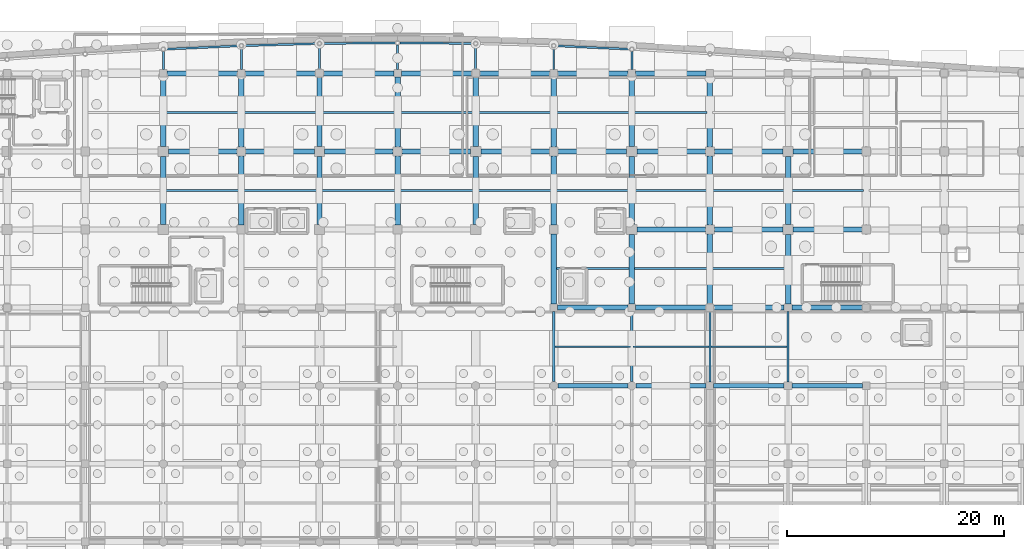
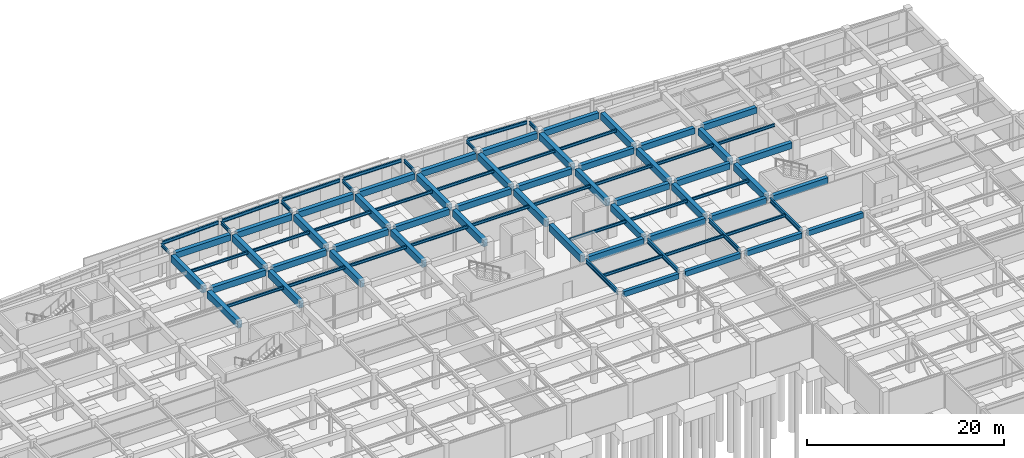
# One storey, part 28 of 48: 86 beams.
"""IFC4 building model written with IfcOpenShell, lengths in metres."""

from ifc_helpers import new_model, si_unit, direction, frame, origin, origin_2d, place, context, subcontext, project, spatial, rectangle, i_section, extrude, material, material_profile, profile_set, type_object, element, save


model = new_model("IFC4")

# Units and contexts
model_context = context("Model", 3, precision=1e-05, world=origin(), true_north=direction((0.0, 1.0)))
body_context = subcontext(model_context, "Body", "Model", "MODEL_VIEW")
ifc_project = project(units=[si_unit("LENGTHUNIT", "METRE"), si_unit("AREAUNIT", "SQUARE_METRE"), si_unit("VOLUMEUNIT", "CUBIC_METRE"), si_unit("PLANEANGLEUNIT", "RADIAN"), si_unit("MASSUNIT", "GRAM", prefix="KILO")], contexts=[model_context])

# Site, building, storey
site_placement = place(None, origin())
site = spatial("IfcSite", under=ifc_project, at=site_placement, CompositionType="ELEMENT")
building_placement = place(site_placement, origin())
building = spatial("IfcBuilding", under=site, at=building_placement, Name="Carrowvane Square Congress Hotel", CompositionType="ELEMENT")
storey_placement = place(building_placement, frame((0.0, 0.0, -4.5)))
storey = spatial("IfcBuildingStorey", under=building, at=storey_placement, Name="B01", CompositionType="ELEMENT", Elevation=-4.5)

# Beams
ifc_material_1 = material(Name="Concrete C35/45", Category="concrete")
ifc_material_profile_1 = material_profile(ifc_material_1, rectangle(XDim=0.39990234375, YDim=0.64990234375, at=origin_2d()), Name="RC 400x650")
ifc_profile_set_1 = profile_set([ifc_material_profile_1], Name="Concrete C35/45")
beam_type_1 = type_object("IfcBeamType", Name="BM-RC-400x650", PredefinedType="BEAM", material=ifc_profile_set_1)
beam_1_placement = place(storey_placement, frame((112.77490234375, 84.60009765625, 3.875), z_axis=(1.0, 0.0, 0.0), x_axis=(0.0, 1.0, 0.0)))
element("IfcBeam", 1, at=beam_1_placement, inside=storey, type_object=beam_type_1, Name="L00 girder M/15-16", PredefinedType="BEAM", context=body_context, shape_type="SweptSolid", body=[
    extrude(rectangle(XDim=0.39990234375, YDim=0.64990234375, at=origin_2d()), origin(), (0.0, 0.0, 1.0), 6.4501953125),
])
beam_2_placement = place(storey_placement, frame((119.97509765625, 84.60009765625, 3.875), z_axis=(1.0, 0.0, 0.0), x_axis=(0.0, 1.0, 0.0)))
element("IfcBeam", 2, at=beam_2_placement, inside=storey, type_object=beam_type_1, Name="L00 girder M/16-17", PredefinedType="BEAM", context=body_context, shape_type="SweptSolid", body=[
    extrude(rectangle(XDim=0.39990234375, YDim=0.64990234375, at=origin_2d()), origin(), (0.0, 0.0, 1.0), 6.474853515625),
])
for number, where, z_axis, x_axis, name in (
    (3, (127.14990234375, 84.60009765625, 3.875), (1.0, 0.0, 0.0), (0.0, 1.0, 0.0), "L00 girder M/17-18"),
    (4, (134.35009765625, 84.60009765625, 3.875), (1.0, 0.0, 0.0), (0.0, 1.0, 0.0), "L00 girder M/18-19"),
):
    element("IfcBeam", number, at=place(storey_placement, frame(where, z_axis=z_axis, x_axis=x_axis)), inside=storey, type_object=beam_type_1, Name=name, PredefinedType="BEAM", context=body_context, shape_type="SweptSolid", body=[
        extrude(rectangle(XDim=0.39990234375, YDim=0.64990234375, at=origin_2d()), origin(), (0.0, 0.0, 1.0), 6.5),
    ])
ifc_material_2 = material(Name="Concrete C35/45", Category="concrete")
ifc_material_profile_2 = material_profile(ifc_material_2, rectangle(XDim=0.449951171875, YDim=0.75, at=origin_2d()), Name="RC 450x750")
ifc_profile_set_2 = profile_set([ifc_material_profile_2], Name="Concrete C35/45")
beam_type_2 = type_object("IfcBeamType", Name="BM-RC-450x750", PredefinedType="USERDEFINED", material=ifc_profile_set_2)
for number, where, z_axis, x_axis, name in (
    (5, (112.75, 91.800048828125, 3.824951171875), (1.0, 0.0, 0.0), (0.0, 1.0, 0.0), "L00 girder N/15-16"),
    (6, (119.949951171875, 91.800048828125, 3.824951171875), (1.0, 0.0, 0.0), (0.0, 1.0, 0.0), "L00 girder N/16-17"),
    (7, (127.14990234375, 91.800048828125, 3.824951171875), (1.0, 0.0, 0.0), (0.0, 1.0, 0.0), "L00 girder N/17-18"),
    (8, (134.35009765625, 91.800048828125, 3.824951171875), (1.0, 0.0, 0.0), (0.0, 1.0, 0.0), "L00 girder N/18-19"),
):
    element("IfcBeam", number, at=place(storey_placement, frame(where, z_axis=z_axis, x_axis=x_axis)), inside=storey, type_object=beam_type_2, Name=name, ObjectType="GIRDER", PredefinedType="USERDEFINED", context=body_context, shape_type="SweptSolid", body=[
        extrude(rectangle(XDim=0.449951171875, YDim=0.75, at=origin_2d()), origin(), (0.0, 0.0, 1.0), 6.5),
    ])
for number, where, z_axis, x_axis, name in (
    (9, (120.074951171875, 99.0, 3.824951171875), (1.0, 0.0, 0.0), (0.0, 1.0, 0.0), "L00 girder P/16-17"),
    (10, (127.199951171875, 99.0, 3.824951171875), (1.0, 0.0, 0.0), (0.0, 1.0, 0.0), "L00 girder P/17-18"),
    (11, (134.47509765625, 99.0, 3.824951171875), (1.0, 0.0, 0.0), (0.0, 1.0, 0.0), "L00 girder P/18-19"),
    (12, (76.875, 106.199951171875, 3.824951171875), (1.0, 0.0, 0.0), (0.0, 1.0, 0.0), "L00 girder Q/10-11"),
    (13, (84.0, 106.199951171875, 3.824951171875), (1.0, 0.0, 0.0), (0.0, 1.0, 0.0), "L00 girder Q/11-12"),
):
    element("IfcBeam", number, at=place(storey_placement, frame(where, z_axis=z_axis, x_axis=x_axis)), inside=storey, type_object=beam_type_2, Name=name, ObjectType="GIRDER", PredefinedType="USERDEFINED", context=body_context, shape_type="SweptSolid", body=[
        extrude(rectangle(XDim=0.449951171875, YDim=0.75, at=origin_2d()), origin(), (0.0, 0.0, 1.0), 6.324951171875),
    ])
for number, where, z_axis, x_axis, name in (
    (14, (91.27490234375, 106.199951171875, 3.824951171875), (1.0, 0.0, 0.0), (0.0, 1.0, 0.0), "L00 girder Q/12-13"),
    (15, (98.39990234375, 106.199951171875, 3.824951171875), (1.0, 0.0, 0.0), (0.0, 1.0, 0.0), "L00 girder Q/13-14"),
):
    element("IfcBeam", number, at=place(storey_placement, frame(where, z_axis=z_axis, x_axis=x_axis)), inside=storey, type_object=beam_type_2, Name=name, ObjectType="GIRDER", PredefinedType="USERDEFINED", context=body_context, shape_type="SweptSolid", body=[
        extrude(rectangle(XDim=0.449951171875, YDim=0.75, at=origin_2d()), origin(), (0.0, 0.0, 1.0), 6.3251953125),
    ])
for number, where, z_axis, x_axis, name in (
    (16, (105.675048828125, 106.199951171875, 3.824951171875), (1.0, 0.0, 0.0), (0.0, 1.0, 0.0), "L00 girder Q/14-15"),
    (17, (112.800048828125, 106.199951171875, 3.824951171875), (1.0, 0.0, 0.0), (0.0, 1.0, 0.0), "L00 girder Q/15-16"),
    (18, (120.074951171875, 106.199951171875, 3.824951171875), (1.0, 0.0, 0.0), (0.0, 1.0, 0.0), "L00 girder Q/16-17"),
    (19, (127.199951171875, 106.199951171875, 3.824951171875), (1.0, 0.0, 0.0), (0.0, 1.0, 0.0), "L00 girder Q/17-18"),
    (20, (134.47509765625, 106.199951171875, 3.824951171875), (1.0, 0.0, 0.0), (0.0, 1.0, 0.0), "L00 girder Q/18-19"),
):
    element("IfcBeam", number, at=place(storey_placement, frame(where, z_axis=z_axis, x_axis=x_axis)), inside=storey, type_object=beam_type_2, Name=name, ObjectType="GIRDER", PredefinedType="USERDEFINED", context=body_context, shape_type="SweptSolid", body=[
        extrude(rectangle(XDim=0.449951171875, YDim=0.75, at=origin_2d()), origin(), (0.0, 0.0, 1.0), 6.324951171875),
    ])
for number, where, z_axis, x_axis, name in (
    (21, (76.75, 113.39990234375, 3.824951171875), (1.0, 0.0, 0.0), (0.0, 1.0, 0.0), "L00 girder R/10-11"),
    (22, (83.949951171875, 113.39990234375, 3.824951171875), (1.0, 0.0, 0.0), (0.0, 1.0, 0.0), "L00 girder R/11-12"),
    (23, (91.14990234375, 113.39990234375, 3.824951171875), (1.0, 0.0, 0.0), (0.0, 1.0, 0.0), "L00 girder R/12-13"),
    (24, (98.35009765625, 113.39990234375, 3.824951171875), (1.0, 0.0, 0.0), (0.0, 1.0, 0.0), "L00 girder R/13-14"),
    (25, (105.550048828125, 113.39990234375, 3.824951171875), (1.0, 0.0, 0.0), (0.0, 1.0, 0.0), "L00 girder R/14-15"),
    (26, (112.75, 113.39990234375, 3.824951171875), (1.0, 0.0, 0.0), (0.0, 1.0, 0.0), "L00 girder R/15-16"),
    (27, (119.949951171875, 113.39990234375, 3.824951171875), (1.0, 0.0, 0.0), (0.0, 1.0, 0.0), "L00 girder R/16-17"),
):
    element("IfcBeam", number, at=place(storey_placement, frame(where, z_axis=z_axis, x_axis=x_axis)), inside=storey, type_object=beam_type_2, Name=name, ObjectType="GIRDER", PredefinedType="USERDEFINED", context=body_context, shape_type="SweptSolid", body=[
        extrude(rectangle(XDim=0.449951171875, YDim=0.75, at=origin_2d()), origin(), (0.0, 0.0, 1.0), 6.5),
    ])
ifc_material_3 = material(Name="Concrete C35/45", Category="concrete")
ifc_material_profile_3 = material_profile(ifc_material_3, rectangle(XDim=0.5, YDim=0.85009765625, at=origin_2d()), Name="RC 500x850")
ifc_profile_set_3 = profile_set([ifc_material_profile_3], Name="Concrete C35/45")
beam_type_3 = type_object("IfcBeamType", Name="BM-RC-500x850", PredefinedType="USERDEFINED", material=ifc_profile_set_3)
beam_3_placement = place(storey_placement, frame((76.39990234375, 99.47509765625, 3.77490234375), z_axis=(0.0, 1.0, 0.0), x_axis=(-1.0, 0.0, 0.0)))
element("IfcBeam", 28, at=beam_3_placement, inside=storey, type_object=beam_type_3, Name="L00 girder 10/P-Q", ObjectType="GIRDER", PredefinedType="USERDEFINED", context=body_context, shape_type="SweptSolid", body=[
    extrude(rectangle(XDim=0.5, YDim=0.85009765625, at=origin_2d()), origin(), (0.0, 0.0, 1.0), 6.25),
])
beam_4_placement = place(storey_placement, frame((76.39990234375, 106.675048828125, 3.77490234375), z_axis=(0.0, 1.0, 0.0), x_axis=(-1.0, 0.0, 0.0)))
element("IfcBeam", 29, at=beam_4_placement, inside=storey, type_object=beam_type_3, Name="L00 girder 10/Q-R", ObjectType="GIRDER", PredefinedType="USERDEFINED", context=body_context, shape_type="SweptSolid", body=[
    extrude(rectangle(XDim=0.5, YDim=0.85009765625, at=origin_2d()), origin(), (0.0, 0.0, 1.0), 6.375),
])
beam_5_placement = place(storey_placement, frame((83.60009765625, 99.39990234375, 3.77490234375), z_axis=(0.0, 1.0, 0.0), x_axis=(-1.0, 0.0, 0.0)))
element("IfcBeam", 30, at=beam_5_placement, inside=storey, type_object=beam_type_3, Name="L00 girder 11/P-Q", ObjectType="GIRDER", PredefinedType="USERDEFINED", context=body_context, shape_type="SweptSolid", body=[
    extrude(rectangle(XDim=0.5, YDim=0.85009765625, at=origin_2d()), origin(), (0.0, 0.0, 1.0), 6.400146484375),
])
beam_6_placement = place(storey_placement, frame((83.60009765625, 106.60009765625, 3.77490234375), z_axis=(0.0, 1.0, 0.0), x_axis=(-1.0, 0.0, 0.0)))
element("IfcBeam", 31, at=beam_6_placement, inside=storey, type_object=beam_type_3, Name="L00 girder 11/Q-R", ObjectType="GIRDER", PredefinedType="USERDEFINED", context=body_context, shape_type="SweptSolid", body=[
    extrude(rectangle(XDim=0.5, YDim=0.85009765625, at=origin_2d()), origin(), (0.0, 0.0, 1.0), 6.449951171875),
])
beam_7_placement = place(storey_placement, frame((90.800048828125, 99.47509765625, 3.77490234375), z_axis=(0.0, 1.0, 0.0), x_axis=(-1.0, 0.0, 0.0)))
element("IfcBeam", 32, at=beam_7_placement, inside=storey, type_object=beam_type_3, Name="L00 girder 12/P-Q", ObjectType="GIRDER", PredefinedType="USERDEFINED", context=body_context, shape_type="SweptSolid", body=[
    extrude(rectangle(XDim=0.5, YDim=0.85009765625, at=origin_2d()), origin(), (0.0, 0.0, 1.0), 6.25),
])
beam_8_placement = place(storey_placement, frame((90.800048828125, 106.675048828125, 3.77490234375), z_axis=(0.0, 1.0, 0.0), x_axis=(-1.0, 0.0, 0.0)))
element("IfcBeam", 33, at=beam_8_placement, inside=storey, type_object=beam_type_3, Name="L00 girder 12/Q-R", ObjectType="GIRDER", PredefinedType="USERDEFINED", context=body_context, shape_type="SweptSolid", body=[
    extrude(rectangle(XDim=0.5, YDim=0.85009765625, at=origin_2d()), origin(), (0.0, 0.0, 1.0), 6.375),
])
beam_9_placement = place(storey_placement, frame((98.0, 99.39990234375, 3.77490234375), z_axis=(0.0, 1.0, 0.0), x_axis=(-1.0, 0.0, 0.0)))
element("IfcBeam", 34, at=beam_9_placement, inside=storey, type_object=beam_type_3, Name="L00 girder 13/P-Q", ObjectType="GIRDER", PredefinedType="USERDEFINED", context=body_context, shape_type="SweptSolid", body=[
    extrude(rectangle(XDim=0.5, YDim=0.85009765625, at=origin_2d()), origin(), (0.0, 0.0, 1.0), 6.400146484375),
])
beam_10_placement = place(storey_placement, frame((98.0, 106.60009765625, 3.77490234375), z_axis=(0.0, 1.0, 0.0), x_axis=(-1.0, 0.0, 0.0)))
element("IfcBeam", 35, at=beam_10_placement, inside=storey, type_object=beam_type_3, Name="L00 girder 13/Q-R", ObjectType="GIRDER", PredefinedType="USERDEFINED", context=body_context, shape_type="SweptSolid", body=[
    extrude(rectangle(XDim=0.5, YDim=0.85009765625, at=origin_2d()), origin(), (0.0, 0.0, 1.0), 6.449951171875),
])
beam_11_placement = place(storey_placement, frame((105.199951171875, 99.47509765625, 3.77490234375), z_axis=(0.0, 1.0, 0.0), x_axis=(-1.0, 0.0, 0.0)))
element("IfcBeam", 36, at=beam_11_placement, inside=storey, type_object=beam_type_3, Name="L00 girder 14/P-Q", ObjectType="GIRDER", PredefinedType="USERDEFINED", context=body_context, shape_type="SweptSolid", body=[
    extrude(rectangle(XDim=0.5, YDim=0.85009765625, at=origin_2d()), origin(), (0.0, 0.0, 1.0), 6.25),
])
beam_12_placement = place(storey_placement, frame((105.199951171875, 106.675048828125, 3.77490234375), z_axis=(0.0, 1.0, 0.0), x_axis=(-1.0, 0.0, 0.0)))
element("IfcBeam", 37, at=beam_12_placement, inside=storey, type_object=beam_type_3, Name="L00 girder 14/Q-R", ObjectType="GIRDER", PredefinedType="USERDEFINED", context=body_context, shape_type="SweptSolid", body=[
    extrude(rectangle(XDim=0.5, YDim=0.85009765625, at=origin_2d()), origin(), (0.0, 0.0, 1.0), 6.375),
])
beam_13_placement = place(storey_placement, frame((112.39990234375, 92.14990234375, 3.77490234375), z_axis=(0.0, 1.0, 0.0), x_axis=(-1.0, 0.0, 0.0)))
element("IfcBeam", 38, at=beam_13_placement, inside=storey, type_object=beam_type_3, Name="L00 girder 15/N-P", ObjectType="GIRDER", PredefinedType="USERDEFINED", context=body_context, shape_type="SweptSolid", body=[
    extrude(rectangle(XDim=0.5, YDim=0.85009765625, at=origin_2d()), origin(), (0.0, 0.0, 1.0), 6.4501953125),
])
beam_14_placement = place(storey_placement, frame((112.39990234375, 99.39990234375, 3.77490234375), z_axis=(0.0, 1.0, 0.0), x_axis=(-1.0, 0.0, 0.0)))
element("IfcBeam", 39, at=beam_14_placement, inside=storey, type_object=beam_type_3, Name="L00 girder 15/P-Q", ObjectType="GIRDER", PredefinedType="USERDEFINED", context=body_context, shape_type="SweptSolid", body=[
    extrude(rectangle(XDim=0.5, YDim=0.85009765625, at=origin_2d()), origin(), (0.0, 0.0, 1.0), 6.400146484375),
])
beam_15_placement = place(storey_placement, frame((112.39990234375, 106.60009765625, 3.77490234375), z_axis=(0.0, 1.0, 0.0), x_axis=(-1.0, 0.0, 0.0)))
element("IfcBeam", 40, at=beam_15_placement, inside=storey, type_object=beam_type_3, Name="L00 girder 15/Q-R", ObjectType="GIRDER", PredefinedType="USERDEFINED", context=body_context, shape_type="SweptSolid", body=[
    extrude(rectangle(XDim=0.5, YDim=0.85009765625, at=origin_2d()), origin(), (0.0, 0.0, 1.0), 6.449951171875),
])
beam_16_placement = place(storey_placement, frame((119.60009765625, 92.14990234375, 3.77490234375), z_axis=(0.0, 1.0, 0.0), x_axis=(-1.0, 0.0, 0.0)))
element("IfcBeam", 41, at=beam_16_placement, inside=storey, type_object=beam_type_3, Name="L00 girder 16/N-P", ObjectType="GIRDER", PredefinedType="USERDEFINED", context=body_context, shape_type="SweptSolid", body=[
    extrude(rectangle(XDim=0.5, YDim=0.85009765625, at=origin_2d()), origin(), (0.0, 0.0, 1.0), 6.375),
])
beam_17_placement = place(storey_placement, frame((119.60009765625, 99.47509765625, 3.77490234375), z_axis=(0.0, 1.0, 0.0), x_axis=(-1.0, 0.0, 0.0)))
element("IfcBeam", 42, at=beam_17_placement, inside=storey, type_object=beam_type_3, Name="L00 girder 16/P-Q", ObjectType="GIRDER", PredefinedType="USERDEFINED", context=body_context, shape_type="SweptSolid", body=[
    extrude(rectangle(XDim=0.5, YDim=0.85009765625, at=origin_2d()), origin(), (0.0, 0.0, 1.0), 6.25),
])
beam_18_placement = place(storey_placement, frame((119.60009765625, 106.675048828125, 3.77490234375), z_axis=(0.0, 1.0, 0.0), x_axis=(-1.0, 0.0, 0.0)))
element("IfcBeam", 43, at=beam_18_placement, inside=storey, type_object=beam_type_3, Name="L00 girder 16/Q-R", ObjectType="GIRDER", PredefinedType="USERDEFINED", context=body_context, shape_type="SweptSolid", body=[
    extrude(rectangle(XDim=0.5, YDim=0.85009765625, at=origin_2d()), origin(), (0.0, 0.0, 1.0), 6.375),
])
beam_19_placement = place(storey_placement, frame((126.800048828125, 92.14990234375, 3.77490234375), z_axis=(0.0, 1.0, 0.0), x_axis=(-1.0, 0.0, 0.0)))
element("IfcBeam", 44, at=beam_19_placement, inside=storey, type_object=beam_type_3, Name="L00 girder 17/N-P", ObjectType="GIRDER", PredefinedType="USERDEFINED", context=body_context, shape_type="SweptSolid", body=[
    extrude(rectangle(XDim=0.5, YDim=0.85009765625, at=origin_2d()), origin(), (0.0, 0.0, 1.0), 6.4501953125),
])
beam_20_placement = place(storey_placement, frame((126.800048828125, 99.39990234375, 3.77490234375), z_axis=(0.0, 1.0, 0.0), x_axis=(-1.0, 0.0, 0.0)))
element("IfcBeam", 45, at=beam_20_placement, inside=storey, type_object=beam_type_3, Name="L00 girder 17/P-Q", ObjectType="GIRDER", PredefinedType="USERDEFINED", context=body_context, shape_type="SweptSolid", body=[
    extrude(rectangle(XDim=0.5, YDim=0.85009765625, at=origin_2d()), origin(), (0.0, 0.0, 1.0), 6.400146484375),
])
beam_21_placement = place(storey_placement, frame((126.800048828125, 106.60009765625, 3.77490234375), z_axis=(0.0, 1.0, 0.0), x_axis=(-1.0, 0.0, 0.0)))
element("IfcBeam", 46, at=beam_21_placement, inside=storey, type_object=beam_type_3, Name="L00 girder 17/Q-R", ObjectType="GIRDER", PredefinedType="USERDEFINED", context=body_context, shape_type="SweptSolid", body=[
    extrude(rectangle(XDim=0.5, YDim=0.85009765625, at=origin_2d()), origin(), (0.0, 0.0, 1.0), 6.449951171875),
])
beam_22_placement = place(storey_placement, frame((134.0, 92.14990234375, 3.77490234375), z_axis=(0.0, 1.0, 0.0), x_axis=(-1.0, 0.0, 0.0)))
element("IfcBeam", 47, at=beam_22_placement, inside=storey, type_object=beam_type_3, Name="L00 girder 18/N-P", ObjectType="GIRDER", PredefinedType="USERDEFINED", context=body_context, shape_type="SweptSolid", body=[
    extrude(rectangle(XDim=0.5, YDim=0.85009765625, at=origin_2d()), origin(), (0.0, 0.0, 1.0), 6.375),
])
beam_23_placement = place(storey_placement, frame((134.0, 99.47509765625, 3.77490234375), z_axis=(0.0, 1.0, 0.0), x_axis=(-1.0, 0.0, 0.0)))
element("IfcBeam", 48, at=beam_23_placement, inside=storey, type_object=beam_type_3, Name="L00 girder 18/P-Q", ObjectType="GIRDER", PredefinedType="USERDEFINED", context=body_context, shape_type="SweptSolid", body=[
    extrude(rectangle(XDim=0.5, YDim=0.85009765625, at=origin_2d()), origin(), (0.0, 0.0, 1.0), 6.25),
])
ifc_material_4 = material(Name="Steel S355", Category="steel")
ifc_material_profile_4 = material_profile(ifc_material_4, i_section(OverallWidth=0.172119140625, OverallDepth=0.35791015625, WebThickness=0.008056640625, FlangeThickness=0.012939453125, FilletRadius=0.01025390625, at=origin_2d()), Name="UKB 356x171x57")
ifc_profile_set_4 = profile_set([ifc_material_profile_4], Name="Steel S355")
beam_type_4 = type_object("IfcBeamType", Name="BM-ST-UKB356", PredefinedType="JOIST", material=ifc_profile_set_4)
for number, where, z_axis, x_axis, name in (
    (49, (76.64990234375, 102.60009765625, 4.02099609375), (1.0, 0.0, 0.0), (0.0, 1.0, 0.0), "L00 secondary joist 10-11"),
    (50, (76.64990234375, 109.800048828125, 4.02099609375), (1.0, 0.0, 0.0), (0.0, 1.0, 0.0), "L00 secondary joist 10-11"),
):
    element("IfcBeam", number, at=place(storey_placement, frame(where, z_axis=z_axis, x_axis=x_axis)), inside=storey, type_object=beam_type_4, Name=name, PredefinedType="JOIST", context=body_context, shape_type="SweptSolid", body=[
        extrude(i_section(OverallWidth=0.172119140625, OverallDepth=0.35791015625, WebThickness=0.008056640625, FlangeThickness=0.012939453125, FilletRadius=0.01025390625, at=origin_2d()), origin(), (0.0, 0.0, 1.0), 6.7001953125),
    ])
for number, where, z_axis, x_axis, name in (
    (51, (83.85009765625, 102.60009765625, 4.02099609375), (1.0, 0.0, 0.0), (0.0, 1.0, 0.0), "L00 secondary joist 11-12"),
    (52, (83.85009765625, 109.800048828125, 4.02099609375), (1.0, 0.0, 0.0), (0.0, 1.0, 0.0), "L00 secondary joist 11-12"),
    (53, (91.050048828125, 102.60009765625, 4.02099609375), (1.0, 0.0, 0.0), (0.0, 1.0, 0.0), "L00 secondary joist 12-13"),
    (54, (91.050048828125, 109.800048828125, 4.02099609375), (1.0, 0.0, 0.0), (0.0, 1.0, 0.0), "L00 secondary joist 12-13"),
    (55, (98.25, 102.60009765625, 4.02099609375), (1.0, 0.0, 0.0), (0.0, 1.0, 0.0), "L00 secondary joist 13-14"),
    (56, (98.25, 109.800048828125, 4.02099609375), (1.0, 0.0, 0.0), (0.0, 1.0, 0.0), "L00 secondary joist 13-14"),
    (57, (105.449951171875, 102.60009765625, 4.02099609375), (1.0, 0.0, 0.0), (0.0, 1.0, 0.0), "L00 secondary joist 14-15"),
    (58, (105.449951171875, 109.800048828125, 4.02099609375), (1.0, 0.0, 0.0), (0.0, 1.0, 0.0), "L00 secondary joist 14-15"),
):
    element("IfcBeam", number, at=place(storey_placement, frame(where, z_axis=z_axis, x_axis=x_axis)), inside=storey, type_object=beam_type_4, Name=name, PredefinedType="JOIST", context=body_context, shape_type="SweptSolid", body=[
        extrude(i_section(OverallWidth=0.172119140625, OverallDepth=0.35791015625, WebThickness=0.008056640625, FlangeThickness=0.012939453125, FilletRadius=0.01025390625, at=origin_2d()), origin(), (0.0, 0.0, 1.0), 6.699951171875),
    ])
beam_24_placement = place(storey_placement, frame((112.5048828125, 88.199951171875, 4.02099609375), z_axis=(1.0, 0.0, 0.0), x_axis=(0.0, 1.0, 0.0)))
element("IfcBeam", 59, at=beam_24_placement, inside=storey, type_object=beam_type_4, Name="L00 secondary joist 15-16", PredefinedType="JOIST", context=body_context, shape_type="SweptSolid", body=[
    extrude(i_section(OverallWidth=0.172119140625, OverallDepth=0.35791015625, WebThickness=0.008056640625, FlangeThickness=0.012939453125, FilletRadius=0.01025390625, at=origin_2d()), origin(), (0.0, 0.0, 1.0), 6.990234375),
])
for number, where, z_axis, x_axis, name in (
    (60, (112.64990234375, 95.39990234375, 4.02099609375), (1.0, 0.0, 0.0), (0.0, 1.0, 0.0), "L00 secondary joist 15-16"),
    (61, (112.64990234375, 102.60009765625, 4.02099609375), (1.0, 0.0, 0.0), (0.0, 1.0, 0.0), "L00 secondary joist 15-16"),
    (62, (112.64990234375, 109.800048828125, 4.02099609375), (1.0, 0.0, 0.0), (0.0, 1.0, 0.0), "L00 secondary joist 15-16"),
):
    element("IfcBeam", number, at=place(storey_placement, frame(where, z_axis=z_axis, x_axis=x_axis)), inside=storey, type_object=beam_type_4, Name=name, PredefinedType="JOIST", context=body_context, shape_type="SweptSolid", body=[
        extrude(i_section(OverallWidth=0.172119140625, OverallDepth=0.35791015625, WebThickness=0.008056640625, FlangeThickness=0.012939453125, FilletRadius=0.01025390625, at=origin_2d()), origin(), (0.0, 0.0, 1.0), 6.7001953125),
    ])
beam_25_placement = place(storey_placement, frame((119.705078125, 88.199951171875, 4.02099609375), z_axis=(1.0, 0.0, 0.0), x_axis=(0.0, 1.0, 0.0)))
element("IfcBeam", 63, at=beam_25_placement, inside=storey, type_object=beam_type_4, Name="L00 secondary joist 16-17", PredefinedType="JOIST", context=body_context, shape_type="SweptSolid", body=[
    extrude(i_section(OverallWidth=0.172119140625, OverallDepth=0.35791015625, WebThickness=0.008056640625, FlangeThickness=0.012939453125, FilletRadius=0.01025390625, at=origin_2d()), origin(), (0.0, 0.0, 1.0), 6.989990234375),
])
for number, where, z_axis, x_axis, name in (
    (64, (119.85009765625, 95.39990234375, 4.02099609375), (1.0, 0.0, 0.0), (0.0, 1.0, 0.0), "L00 secondary joist 16-17"),
    (65, (119.85009765625, 102.60009765625, 4.02099609375), (1.0, 0.0, 0.0), (0.0, 1.0, 0.0), "L00 secondary joist 16-17"),
    (66, (119.85009765625, 109.800048828125, 4.02099609375), (1.0, 0.0, 0.0), (0.0, 1.0, 0.0), "L00 secondary joist 16-17"),
):
    element("IfcBeam", number, at=place(storey_placement, frame(where, z_axis=z_axis, x_axis=x_axis)), inside=storey, type_object=beam_type_4, Name=name, PredefinedType="JOIST", context=body_context, shape_type="SweptSolid", body=[
        extrude(i_section(OverallWidth=0.172119140625, OverallDepth=0.35791015625, WebThickness=0.008056640625, FlangeThickness=0.012939453125, FilletRadius=0.01025390625, at=origin_2d()), origin(), (0.0, 0.0, 1.0), 6.699951171875),
    ])
beam_26_placement = place(storey_placement, frame((126.905029296875, 88.199951171875, 4.02099609375), z_axis=(1.0, 0.0, 0.0), x_axis=(0.0, 1.0, 0.0)))
element("IfcBeam", 67, at=beam_26_placement, inside=storey, type_object=beam_type_4, Name="L00 secondary joist 17-18", PredefinedType="JOIST", context=body_context, shape_type="SweptSolid", body=[
    extrude(i_section(OverallWidth=0.172119140625, OverallDepth=0.35791015625, WebThickness=0.008056640625, FlangeThickness=0.012939453125, FilletRadius=0.01025390625, at=origin_2d()), origin(), (0.0, 0.0, 1.0), 6.989990234375),
])
for number, where, z_axis, x_axis, name in (
    (68, (127.050048828125, 95.39990234375, 4.02099609375), (1.0, 0.0, 0.0), (0.0, 1.0, 0.0), "L00 secondary joist 17-18"),
    (69, (127.050048828125, 102.60009765625, 4.02099609375), (1.0, 0.0, 0.0), (0.0, 1.0, 0.0), "L00 secondary joist 17-18"),
    (70, (134.25, 102.60009765625, 4.02099609375), (1.0, 0.0, 0.0), (0.0, 1.0, 0.0), "L00 secondary joist 18-19"),
):
    element("IfcBeam", number, at=place(storey_placement, frame(where, z_axis=z_axis, x_axis=x_axis)), inside=storey, type_object=beam_type_4, Name=name, PredefinedType="JOIST", context=body_context, shape_type="SweptSolid", body=[
        extrude(i_section(OverallWidth=0.172119140625, OverallDepth=0.35791015625, WebThickness=0.008056640625, FlangeThickness=0.012939453125, FilletRadius=0.01025390625, at=origin_2d()), origin(), (0.0, 0.0, 1.0), 6.699951171875),
    ])
ifc_material_5 = material(Name="Steel S355", Category="steel")
ifc_material_profile_5 = material_profile(ifc_material_5, i_section(OverallWidth=0.1787109375, OverallDepth=0.409423828125, WebThickness=0.0087890625, FlangeThickness=0.014404296875, FilletRadius=0.01025390625, at=origin_2d()), Name="UKB 406x178x67")
ifc_profile_set_5 = profile_set([ifc_material_profile_5], Name="Steel S355")
beam_type_5 = type_object("IfcBeamType", Name="BM-ST-UKB406", PredefinedType="BEAM", material=ifc_profile_set_5)
beam_27_placement = place(storey_placement, frame((76.60302734375, 115.626708984375, 3.995361328125), z_axis=(0.998973271848, 0.045303445058, 0.0), x_axis=(-0.045303445058, 0.998973271848, 0.0)))
element("IfcBeam", 71, at=beam_27_placement, inside=storey, type_object=beam_type_5, Name="L00 curved north spandrel", PredefinedType="BEAM", context=body_context, shape_type="SweptSolid", body=[
    extrude(i_section(OverallWidth=0.1787109375, OverallDepth=0.409423828125, WebThickness=0.0087890625, FlangeThickness=0.014404296875, FilletRadius=0.01025390625, at=origin_2d()), origin(), (0.0, 0.0, 1.0), 6.801025390625),
])
beam_28_placement = place(storey_placement, frame((76.39990234375, 113.75, 3.995361328125), z_axis=(0.0, 1.0, 0.0), x_axis=(-1.0, 0.0, 0.0)))
element("IfcBeam", 72, at=beam_28_placement, inside=storey, type_object=beam_type_5, Name="L00 radial north beam 10", PredefinedType="BEAM", context=body_context, shape_type="SweptSolid", body=[
    extrude(i_section(OverallWidth=0.1787109375, OverallDepth=0.409423828125, WebThickness=0.0087890625, FlangeThickness=0.014404296875, FilletRadius=0.01025390625, at=origin_2d()), origin(), (0.0, 0.0, 1.0), 1.664306640625),
])
beam_29_placement = place(storey_placement, frame((83.80322265625, 115.94970703125, 3.995361328125), z_axis=(0.999591118992, 0.02859361522, 0.0), x_axis=(-0.02859361522, 0.999591118992, 0.0)))
element("IfcBeam", 73, at=beam_29_placement, inside=storey, type_object=beam_type_5, Name="L00 curved north spandrel", PredefinedType="BEAM", context=body_context, shape_type="SweptSolid", body=[
    extrude(i_section(OverallWidth=0.1787109375, OverallDepth=0.409423828125, WebThickness=0.0087890625, FlangeThickness=0.014404296875, FilletRadius=0.01025390625, at=origin_2d()), origin(), (0.0, 0.0, 1.0), 6.79638671875),
])
beam_30_placement = place(storey_placement, frame((83.60009765625, 113.75, 3.995361328125), z_axis=(0.0, 1.0, 0.0), x_axis=(-1.0, 0.0, 0.0)))
element("IfcBeam", 74, at=beam_30_placement, inside=storey, type_object=beam_type_5, Name="L00 radial north beam 11", PredefinedType="BEAM", context=body_context, shape_type="SweptSolid", body=[
    extrude(i_section(OverallWidth=0.1787109375, OverallDepth=0.409423828125, WebThickness=0.0087890625, FlangeThickness=0.014404296875, FilletRadius=0.01025390625, at=origin_2d()), origin(), (0.0, 0.0, 1.0), 1.99072265625),
])
beam_31_placement = place(storey_placement, frame((91.003173828125, 116.15185546875, 3.995361328125), z_axis=(0.999952581816, 0.009738281154, 0.0), x_axis=(-0.009738281154, 0.999952581816, 0.0)))
element("IfcBeam", 75, at=beam_31_placement, inside=storey, type_object=beam_type_5, Name="L00 curved north spandrel", PredefinedType="BEAM", context=body_context, shape_type="SweptSolid", body=[
    extrude(i_section(OverallWidth=0.1787109375, OverallDepth=0.409423828125, WebThickness=0.0087890625, FlangeThickness=0.014404296875, FilletRadius=0.01025390625, at=origin_2d()), origin(), (0.0, 0.0, 1.0), 6.7939453125),
])
beam_32_placement = place(storey_placement, frame((90.800048828125, 113.75, 3.995361328125), z_axis=(0.0, 1.0, 0.0), x_axis=(-1.0, 0.0, 0.0)))
element("IfcBeam", 76, at=beam_32_placement, inside=storey, type_object=beam_type_5, Name="L00 radial north beam 12", PredefinedType="BEAM", context=body_context, shape_type="SweptSolid", body=[
    extrude(i_section(OverallWidth=0.1787109375, OverallDepth=0.409423828125, WebThickness=0.0087890625, FlangeThickness=0.014404296875, FilletRadius=0.01025390625, at=origin_2d()), origin(), (0.0, 0.0, 1.0), 2.196533203125),
])
beam_33_placement = place(storey_placement, frame((98.203125, 116.218017578125, 3.995361328125), z_axis=(0.999952581816, -0.009738281154, 0.0), x_axis=(0.009738281154, 0.999952581816, 0.0)))
element("IfcBeam", 77, at=beam_33_placement, inside=storey, type_object=beam_type_5, Name="L00 curved north spandrel", PredefinedType="BEAM", context=body_context, shape_type="SweptSolid", body=[
    extrude(i_section(OverallWidth=0.1787109375, OverallDepth=0.409423828125, WebThickness=0.0087890625, FlangeThickness=0.014404296875, FilletRadius=0.01025390625, at=origin_2d()), origin(), (0.0, 0.0, 1.0), 6.7939453125),
])
beam_34_placement = place(storey_placement, frame((98.0, 113.75, 3.995361328125), z_axis=(0.0, 1.0, 0.0), x_axis=(-1.0, 0.0, 0.0)))
element("IfcBeam", 78, at=beam_34_placement, inside=storey, type_object=beam_type_5, Name="L00 radial north beam 13", PredefinedType="BEAM", context=body_context, shape_type="SweptSolid", body=[
    extrude(i_section(OverallWidth=0.1787109375, OverallDepth=0.409423828125, WebThickness=0.0087890625, FlangeThickness=0.014404296875, FilletRadius=0.01025390625, at=origin_2d()), origin(), (0.0, 0.0, 1.0), 2.266845703125),
])
beam_35_placement = place(storey_placement, frame((105.199951171875, 113.75, 3.995361328125), z_axis=(0.0, 1.0, 0.0), x_axis=(-1.0, 0.0, 0.0)))
element("IfcBeam", 79, at=beam_35_placement, inside=storey, type_object=beam_type_5, Name="L00 radial north beam 14", PredefinedType="BEAM", context=body_context, shape_type="SweptSolid", body=[
    extrude(i_section(OverallWidth=0.1787109375, OverallDepth=0.409423828125, WebThickness=0.0087890625, FlangeThickness=0.014404296875, FilletRadius=0.01025390625, at=origin_2d()), origin(), (0.0, 0.0, 1.0), 2.196533203125),
])
beam_36_placement = place(storey_placement, frame((112.60302734375, 115.934814453125, 3.995361328125), z_axis=(0.998973271848, -0.045303445058, 0.0), x_axis=(0.045303445058, 0.998973271848, 0.0)))
element("IfcBeam", 80, at=beam_36_placement, inside=storey, type_object=beam_type_5, Name="L00 curved north spandrel", PredefinedType="BEAM", context=body_context, shape_type="SweptSolid", body=[
    extrude(i_section(OverallWidth=0.1787109375, OverallDepth=0.409423828125, WebThickness=0.0087890625, FlangeThickness=0.014404296875, FilletRadius=0.01025390625, at=origin_2d()), origin(), (0.0, 0.0, 1.0), 6.801025390625),
])
beam_37_placement = place(storey_placement, frame((112.39990234375, 113.75, 3.995361328125), z_axis=(0.0, 1.0, 0.0), x_axis=(-1.0, 0.0, 0.0)))
element("IfcBeam", 81, at=beam_37_placement, inside=storey, type_object=beam_type_5, Name="L00 radial north beam 15", PredefinedType="BEAM", context=body_context, shape_type="SweptSolid", body=[
    extrude(i_section(OverallWidth=0.1787109375, OverallDepth=0.409423828125, WebThickness=0.0087890625, FlangeThickness=0.014404296875, FilletRadius=0.01025390625, at=origin_2d()), origin(), (0.0, 0.0, 1.0), 1.99072265625),
])
beam_38_placement = place(storey_placement, frame((119.60009765625, 113.75, 3.995361328125), z_axis=(0.0, 1.0, 0.0), x_axis=(-1.0, 0.0, 0.0)))
element("IfcBeam", 82, at=beam_38_placement, inside=storey, type_object=beam_type_5, Name="L00 radial north beam 16", PredefinedType="BEAM", context=body_context, shape_type="SweptSolid", body=[
    extrude(i_section(OverallWidth=0.1787109375, OverallDepth=0.409423828125, WebThickness=0.0087890625, FlangeThickness=0.014404296875, FilletRadius=0.01025390625, at=origin_2d()), origin(), (0.0, 0.0, 1.0), 1.664306640625),
])
ifc_material_6 = material(Name="Steel S355", Category="steel")
ifc_material_profile_6 = material_profile(ifc_material_6, i_section(OverallWidth=0.2099609375, OverallDepth=0.53662109375, WebThickness=0.0107421875, FlangeThickness=0.017333984375, FilletRadius=0.0126953125, at=origin_2d()), Name="UKB 533x210x101")
ifc_profile_set_6 = profile_set([ifc_material_profile_6], Name="Steel S355")
beam_type_6 = type_object("IfcBeamType", Name="BM-ST-UKB533", PredefinedType="USERDEFINED", material=ifc_profile_set_6)
for number, where, z_axis, x_axis, name in (
    (83, (112.39990234375, 84.97509765625, 3.931640625), (0.0, 1.0, 0.0), (-1.0, 0.0, 0.0), "L00 girder 15/M-N"),
    (84, (119.60009765625, 84.97509765625, 3.931640625), (0.0, 1.0, 0.0), (-1.0, 0.0, 0.0), "L00 girder 16/M-N"),
):
    element("IfcBeam", number, at=place(storey_placement, frame(where, z_axis=z_axis, x_axis=x_axis)), inside=storey, type_object=beam_type_6, Name=name, ObjectType="GIRDER", PredefinedType="USERDEFINED", context=body_context, shape_type="SweptSolid", body=[
        extrude(i_section(OverallWidth=0.2099609375, OverallDepth=0.53662109375, WebThickness=0.0107421875, FlangeThickness=0.017333984375, FilletRadius=0.0126953125, at=origin_2d()), origin(), (0.0, 0.0, 1.0), 6.474853515625),
    ])
for number, where, z_axis, x_axis, name in (
    (85, (126.800048828125, 84.949951171875, 3.931640625), (0.0, 1.0, 0.0), (-1.0, 0.0, 0.0), "L00 girder 17/M-N"),
    (86, (134.0, 84.949951171875, 3.931640625), (0.0, 1.0, 0.0), (-1.0, 0.0, 0.0), "L00 girder 18/M-N"),
):
    element("IfcBeam", number, at=place(storey_placement, frame(where, z_axis=z_axis, x_axis=x_axis)), inside=storey, type_object=beam_type_6, Name=name, ObjectType="GIRDER", PredefinedType="USERDEFINED", context=body_context, shape_type="SweptSolid", body=[
        extrude(i_section(OverallWidth=0.2099609375, OverallDepth=0.53662109375, WebThickness=0.0107421875, FlangeThickness=0.017333984375, FilletRadius=0.0126953125, at=origin_2d()), origin(), (0.0, 0.0, 1.0), 6.5),
    ])

save(model, "model.ifc")
